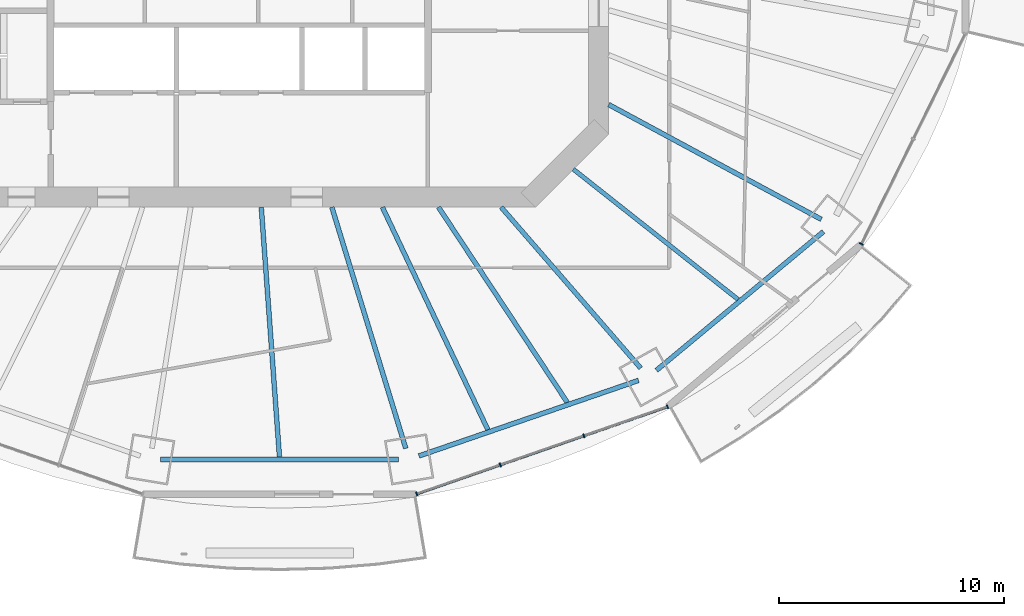
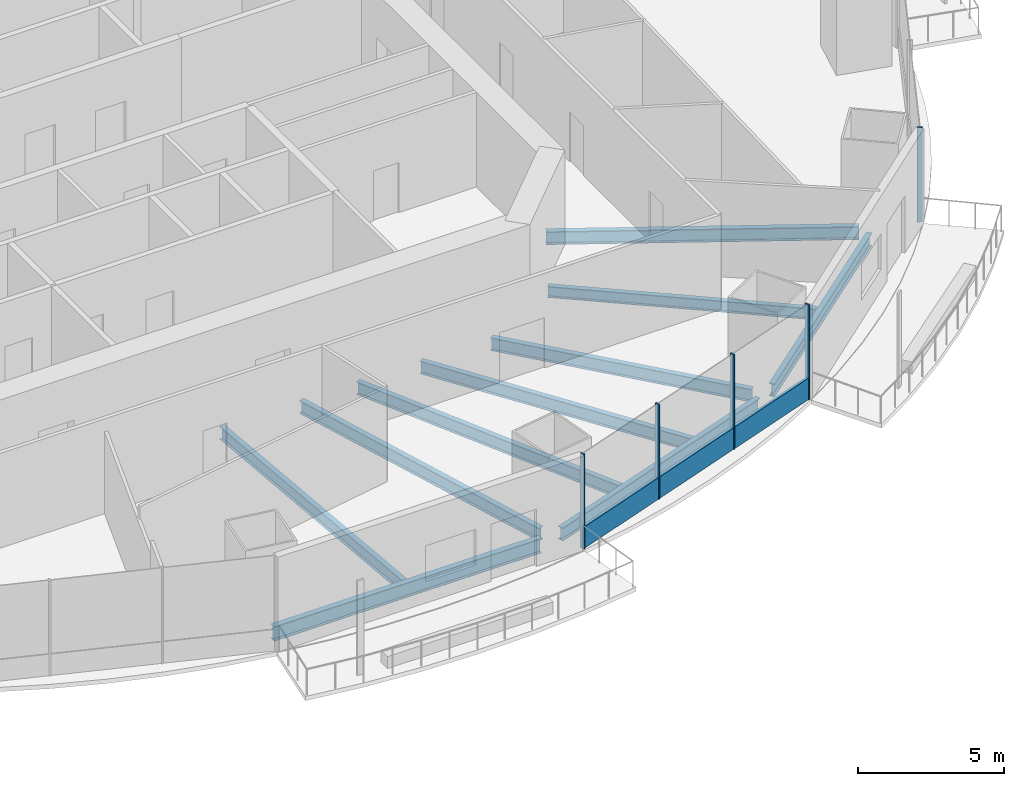
# One storey, part 4 of 20: 10 beams, 6 members, 2 elements without a shape of their own.
"""IFC4 building model written with IfcOpenShell, lengths in metres."""

from ifc_helpers import new_model, si_unit, direction, frame, origin, origin_2d, place, context, subcontext, project, spatial, rectangle, i_section, extrude, material, material_profile, profile_set, type_object, element, aggregate, save


model = new_model("IFC4")

# Units and contexts
model_context = context("Model", 3, precision=1e-05, world=origin(), true_north=direction((0.0, 1.0)))
body_context = subcontext(model_context, "Body", "Model", "MODEL_VIEW")
ifc_project = project(units=[si_unit("LENGTHUNIT", "METRE"), si_unit("AREAUNIT", "SQUARE_METRE"), si_unit("VOLUMEUNIT", "CUBIC_METRE"), si_unit("PLANEANGLEUNIT", "RADIAN"), si_unit("MASSUNIT", "GRAM", prefix="KILO")], contexts=[model_context])

# Site, building, storey
site_placement = place(None, origin())
site = spatial("IfcSite", under=ifc_project, at=site_placement, CompositionType="ELEMENT")
building_placement = place(site_placement, origin())
building = spatial("IfcBuilding", under=site, at=building_placement, Name="Marenthal Gate Tower", CompositionType="ELEMENT")
storey_placement = place(building_placement, frame((0.0, 0.0, 215.0)))
storey = spatial("IfcBuildingStorey", under=building, at=storey_placement, Name="L47", CompositionType="ELEMENT", Elevation=215.0)

# Curtain wall, members
ifc_material_1 = material(Name="Aluminium and glass", Category="aluminium")
curtain_wall_type = type_object("IfcCurtainWallType", Name="Curtain wall typical mid", PredefinedType="NOTDEFINED", material=ifc_material_1)
curtain_wall_1_placement = place(storey_placement, origin())
curtain_wall_1 = element("IfcCurtainWall", 1, at=curtain_wall_1_placement, inside=storey, type_object=curtain_wall_type, Name="Curtain wall L47 bay 13", PredefinedType="NOTDEFINED")
ifc_material_2 = material(Name="Aluminium", Category="aluminium")
ifc_material_profile_1 = material_profile(ifc_material_2, rectangle(XDim=0.179931640625, YDim=0.06005859375, at=origin_2d()), Name="60x180 aluminium mullion")
ifc_profile_set_1 = profile_set([ifc_material_profile_1], Name="Aluminium")
member_type_1 = type_object("IfcMemberType", Name="Mullion 60x180 typical mid", PredefinedType="MULLION", material=ifc_profile_set_1)
member_1_placement = place(storey_placement, frame((7.901611328125, -26.218017578125, 0.0), z_axis=(0.0, 0.0, 1.0), x_axis=(-0.328400483847, 0.944538576348, 0.0)))
member_1 = element("IfcMember", 2, at=member_1_placement, type_object=member_type_1, Name="Mullion L47 bay 13.1", PredefinedType="MULLION", context=body_context, shape_type="SweptSolid", body=[
    extrude(rectangle(XDim=0.179931640625, YDim=0.06005859375, at=origin_2d()), origin(), (0.0, 0.0, 1.0), 3.969970703125),
])
member_2_placement = place(storey_placement, frame((11.623291015625, -24.924072265625, 0.0), z_axis=(0.0, 0.0, 1.0), x_axis=(-0.328400483847, 0.944538576348, 0.0)))
member_2 = element("IfcMember", 3, at=member_2_placement, type_object=member_type_1, Name="Mullion L47 bay 13.2", PredefinedType="MULLION", context=body_context, shape_type="SweptSolid", body=[
    extrude(rectangle(XDim=0.179931640625, YDim=0.06005859375, at=origin_2d()), origin(), (0.0, 0.0, 1.0), 3.969970703125),
])
member_3_placement = place(storey_placement, frame((15.344970703125, -23.630126953125, 0.0), z_axis=(0.0, 0.0, 1.0), x_axis=(-0.328400483847, 0.944538576348, 0.0)))
member_3 = element("IfcMember", 4, at=member_3_placement, type_object=member_type_1, Name="Mullion L47 bay 13.3", PredefinedType="MULLION", context=body_context, shape_type="SweptSolid", body=[
    extrude(rectangle(XDim=0.179931640625, YDim=0.06005859375, at=origin_2d()), origin(), (0.0, 0.0, 1.0), 3.969970703125),
])
member_4_placement = place(storey_placement, frame((19.066650390625, -22.336181640625, 0.0), z_axis=(0.0, 0.0, 1.0), x_axis=(-0.328400483847, 0.944538576348, 0.0)))
member_4 = element("IfcMember", 5, at=member_4_placement, type_object=member_type_1, Name="Mullion L47 bay 13.4", PredefinedType="MULLION", context=body_context, shape_type="SweptSolid", body=[
    extrude(rectangle(XDim=0.179931640625, YDim=0.06005859375, at=origin_2d()), origin(), (0.0, 0.0, 1.0), 3.969970703125),
])

# Curtain wall, member
curtain_wall_2_placement = place(storey_placement, origin())
curtain_wall_2 = element("IfcCurtainWall", 6, at=curtain_wall_2_placement, inside=storey, type_object=curtain_wall_type, Name="Curtain wall L47 bay 15", PredefinedType="NOTDEFINED")
member_5_placement = place(storey_placement, frame((27.69677734375, -15.090087890625, 0.0), z_axis=(0.0, 0.0, 1.0), x_axis=(-0.896756924648, 0.442523466153, 0.0)))
member_5 = element("IfcMember", 7, at=member_5_placement, type_object=member_type_1, Name="Mullion L47 bay 15.1", PredefinedType="MULLION", context=body_context, shape_type="SweptSolid", body=[
    extrude(rectangle(XDim=0.179931640625, YDim=0.06005859375, at=origin_2d()), origin(), (0.0, 0.0, 1.0), 3.969970703125),
])
aggregate(curtain_wall_2, [member_5])

# Member
ifc_material_3 = material(Name="Aluminium", Category="aluminium")
ifc_material_profile_2 = material_profile(ifc_material_3, rectangle(XDim=0.1201171875, YDim=0.89990234375, at=origin_2d()), Name="120x900 aluminium transom")
ifc_profile_set_2 = profile_set([ifc_material_profile_2], Name="Aluminium")
member_type_2 = type_object("IfcMemberType", Name="Transom 120x900 typical mid", PredefinedType="USERDEFINED", material=ifc_profile_set_2)
member_6_placement = place(storey_placement, frame((7.929931640625, -26.208251953125, 0.449951171875), z_axis=(0.944535997597, 0.328407900703, 0.0), x_axis=(-0.328407900703, 0.944535997597, 0.0)))
member_6 = element("IfcMember", 8, at=member_6_placement, type_object=member_type_2, Name="Transom L47 bay 13", ObjectType="TRANSOM", PredefinedType="USERDEFINED", context=body_context, shape_type="SweptSolid", body=[
    extrude(rectangle(XDim=0.1201171875, YDim=0.89990234375, at=origin_2d()), origin(), (0.0, 0.0, 1.0), 11.7607421875),
])

aggregate(curtain_wall_1, [member_1, member_2, member_3, member_4, member_6])

# Beams
ifc_material_4 = material(Name="Steel S355", Category="steel")
ifc_material_profile_3 = material_profile(ifc_material_4, i_section(OverallWidth=0.193115234375, OverallDepth=0.467041015625, WebThickness=0.011474609375, FlangeThickness=0.01904296875, FilletRadius=0.010009765625, at=origin_2d()), Name="W460X97")
ifc_profile_set_3 = profile_set([ifc_material_profile_3], Name="Steel S355")
beam_type_1 = type_object("IfcBeamType", Name="W460X97 beam", PredefinedType="BEAM", material=ifc_profile_set_3)
beam_1_placement = place(storey_placement, frame((22.20849609375, -17.55859375, -0.41357421875), z_axis=(-0.784446026981, 0.620197090249, 0.0), x_axis=(-0.620197090249, -0.784446026981, 0.0)))
element("IfcBeam", 9, at=beam_1_placement, inside=storey, type_object=beam_type_1, Name="BM-L47-37", PredefinedType="BEAM", context=body_context, shape_type="SweptSolid", body=[
    extrude(i_section(OverallWidth=0.193115234375, OverallDepth=0.467041015625, WebThickness=0.011474609375, FlangeThickness=0.01904296875, FilletRadius=0.010009765625, at=origin_2d()), origin(), (0.0, 0.0, 1.0), 9.347900390625),
])
ifc_material_5 = material(Name="Steel S355", Category="steel")
ifc_material_profile_4 = material_profile(ifc_material_5, i_section(OverallWidth=0.2099609375, OverallDepth=0.535888671875, WebThickness=0.010986328125, FlangeThickness=0.017333984375, FilletRadius=0.0126953125, at=origin_2d()), Name="W530X101")
ifc_profile_set_4 = profile_set([ifc_material_profile_4], Name="Steel S355")
beam_type_2 = type_object("IfcBeamType", Name="W530X101 beam", PredefinedType="BEAM", material=ifc_profile_set_4)
beam_2_placement = place(storey_placement, frame((17.875244140625, -20.618408203125, -0.447998046875), z_axis=(-0.655047115291, 0.755588033752, 0.0), x_axis=(-0.755588033752, -0.655047115291, 0.0)))
element("IfcBeam", 10, at=beam_2_placement, inside=storey, type_object=beam_type_2, Name="BM-L47-14", PredefinedType="BEAM", context=body_context, shape_type="SweptSolid", body=[
    extrude(i_section(OverallWidth=0.2099609375, OverallDepth=0.535888671875, WebThickness=0.010986328125, FlangeThickness=0.017333984375, FilletRadius=0.0126953125, at=origin_2d()), origin(), (0.0, 0.0, 1.0), 9.4873046875),
])
beam_3_placement = place(storey_placement, frame((1.79150390625, -24.563720703125, -0.447998046875), z_axis=(-0.072738576009, 0.997351041289, 0.0), x_axis=(-0.997351041289, -0.072738576009, 0.0)))
element("IfcBeam", 11, at=beam_3_placement, inside=storey, type_object=beam_type_2, Name="BM-L47-34", PredefinedType="BEAM", context=body_context, shape_type="SweptSolid", body=[
    extrude(i_section(OverallWidth=0.2099609375, OverallDepth=0.535888671875, WebThickness=0.010986328125, FlangeThickness=0.017333984375, FilletRadius=0.0126953125, at=origin_2d()), origin(), (0.0, 0.0, 1.0), 11.143310546875),
])
beam_4_placement = place(storey_placement, frame((11.070068359375, -23.360107421875, -0.447998046875), z_axis=(-0.428235626574, 0.903667111348, 0.0), x_axis=(-0.903667111348, -0.428235626574, 0.0)))
element("IfcBeam", 12, at=beam_4_placement, inside=storey, type_object=beam_type_2, Name="BM-L47-35", PredefinedType="BEAM", context=body_context, shape_type="SweptSolid", body=[
    extrude(i_section(OverallWidth=0.2099609375, OverallDepth=0.535888671875, WebThickness=0.010986328125, FlangeThickness=0.017333984375, FilletRadius=0.0126953125, at=origin_2d()), origin(), (0.0, 0.0, 1.0), 10.966552734375),
])
beam_5_placement = place(storey_placement, frame((14.606201171875, -22.14306640625, -0.447998046875), z_axis=(-0.550636107406, 0.834745396645, 0.0), x_axis=(-0.834745396645, -0.550636107406, 0.0)))
element("IfcBeam", 13, at=beam_5_placement, inside=storey, type_object=beam_type_2, Name="BM-L47-36", PredefinedType="BEAM", context=body_context, shape_type="SweptSolid", body=[
    extrude(i_section(OverallWidth=0.2099609375, OverallDepth=0.535888671875, WebThickness=0.010986328125, FlangeThickness=0.017333984375, FilletRadius=0.0126953125, at=origin_2d()), origin(), (0.0, 0.0, 1.0), 10.4140625),
])
ifc_material_6 = material(Name="Steel S355", Category="steel")
ifc_material_profile_5 = material_profile(ifc_material_6, i_section(OverallWidth=0.2119140625, OverallDepth=0.5439453125, WebThickness=0.01318359375, FlangeThickness=0.021240234375, FilletRadius=0.0126953125, at=origin_2d()), Name="W530X123")
ifc_profile_set_5 = profile_set([ifc_material_profile_5], Name="Steel S355")
beam_type_3 = type_object("IfcBeamType", Name="W530X123 beam", PredefinedType="BEAM", material=ifc_profile_set_5)
beam_6_placement = place(storey_placement, frame((7.415771484375, -24.191650390625, -0.451904296875), z_axis=(-0.293076342518, 0.95608904264, 0.0), x_axis=(-0.95608904264, -0.293076342518, 0.0)))
element("IfcBeam", 14, at=beam_6_placement, inside=storey, type_object=beam_type_3, Name="BM-L47-13", PredefinedType="BEAM", context=body_context, shape_type="SweptSolid", body=[
    extrude(i_section(OverallWidth=0.2119140625, OverallDepth=0.5439453125, WebThickness=0.01318359375, FlangeThickness=0.021240234375, FilletRadius=0.0126953125, at=origin_2d()), origin(), (0.0, 0.0, 1.0), 11.235107421875),
])
beam_7_placement = place(storey_placement, frame((25.915283203125, -13.99365234375, -0.451904296875), z_axis=(-0.879922477048, 0.475117284873, 0.0), x_axis=(-0.475117284873, -0.879922477048, 0.0)))
element("IfcBeam", 15, at=beam_7_placement, inside=storey, type_object=beam_type_3, Name="BM-L47-15", PredefinedType="BEAM", context=body_context, shape_type="SweptSolid", body=[
    extrude(i_section(OverallWidth=0.2119140625, OverallDepth=0.5439453125, WebThickness=0.01318359375, FlangeThickness=0.021240234375, FilletRadius=0.0126953125, at=origin_2d()), origin(), (0.0, 0.0, 1.0), 10.757080078125),
])
beam_8_placement = place(storey_placement, frame((8.003173828125, -24.527587890625, -0.451904296875), z_axis=(0.945573092466, 0.325409782895, 0.0), x_axis=(-0.325409782895, 0.945573092466, 0.0)))
element("IfcBeam", 16, at=beam_8_placement, inside=storey, type_object=beam_type_3, Name="BM-L47-53", PredefinedType="BEAM", context=body_context, shape_type="SweptSolid", body=[
    extrude(i_section(OverallWidth=0.2119140625, OverallDepth=0.5439453125, WebThickness=0.01318359375, FlangeThickness=0.021240234375, FilletRadius=0.0126953125, at=origin_2d()), origin(), (0.0, 0.0, 1.0), 10.3369140625),
])
beam_9_placement = place(storey_placement, frame((18.576171875, -20.71435546875, -0.451904296875), z_axis=(0.769177190063, 0.639035562615, 0.0), x_axis=(-0.639035562615, 0.769177190063, 0.0)))
element("IfcBeam", 17, at=beam_9_placement, inside=storey, type_object=beam_type_3, Name="BM-L47-54", PredefinedType="BEAM", context=body_context, shape_type="SweptSolid", body=[
    extrude(i_section(OverallWidth=0.2119140625, OverallDepth=0.5439453125, WebThickness=0.01318359375, FlangeThickness=0.021240234375, FilletRadius=0.0126953125, at=origin_2d()), origin(), (0.0, 0.0, 1.0), 9.6630859375),
])
ifc_material_7 = material(Name="Steel S355", Category="steel")
ifc_material_profile_6 = material_profile(ifc_material_7, i_section(OverallWidth=0.22900390625, OverallDepth=0.612060546875, WebThickness=0.011962890625, FlangeThickness=0.01953125, FilletRadius=0.0126953125, at=origin_2d()), Name="W610X125")
ifc_profile_set_6 = profile_set([ifc_material_profile_6], Name="Steel S355")
beam_type_4 = type_object("IfcBeamType", Name="W610X125 beam", PredefinedType="BEAM", material=ifc_profile_set_6)
beam_10_placement = place(storey_placement, frame((-3.501953125, -24.67822265625, -0.486083984375), z_axis=(1.0, 0.0, 0.0), x_axis=(0.0, 1.0, 0.0)))
element("IfcBeam", 18, at=beam_10_placement, inside=storey, type_object=beam_type_4, Name="BM-L47-52", PredefinedType="BEAM", context=body_context, shape_type="SweptSolid", body=[
    extrude(i_section(OverallWidth=0.22900390625, OverallDepth=0.612060546875, WebThickness=0.011962890625, FlangeThickness=0.01953125, FilletRadius=0.0126953125, at=origin_2d()), origin(), (0.0, 0.0, 1.0), 10.60400390625),
])

save(model, "model.ifc")
